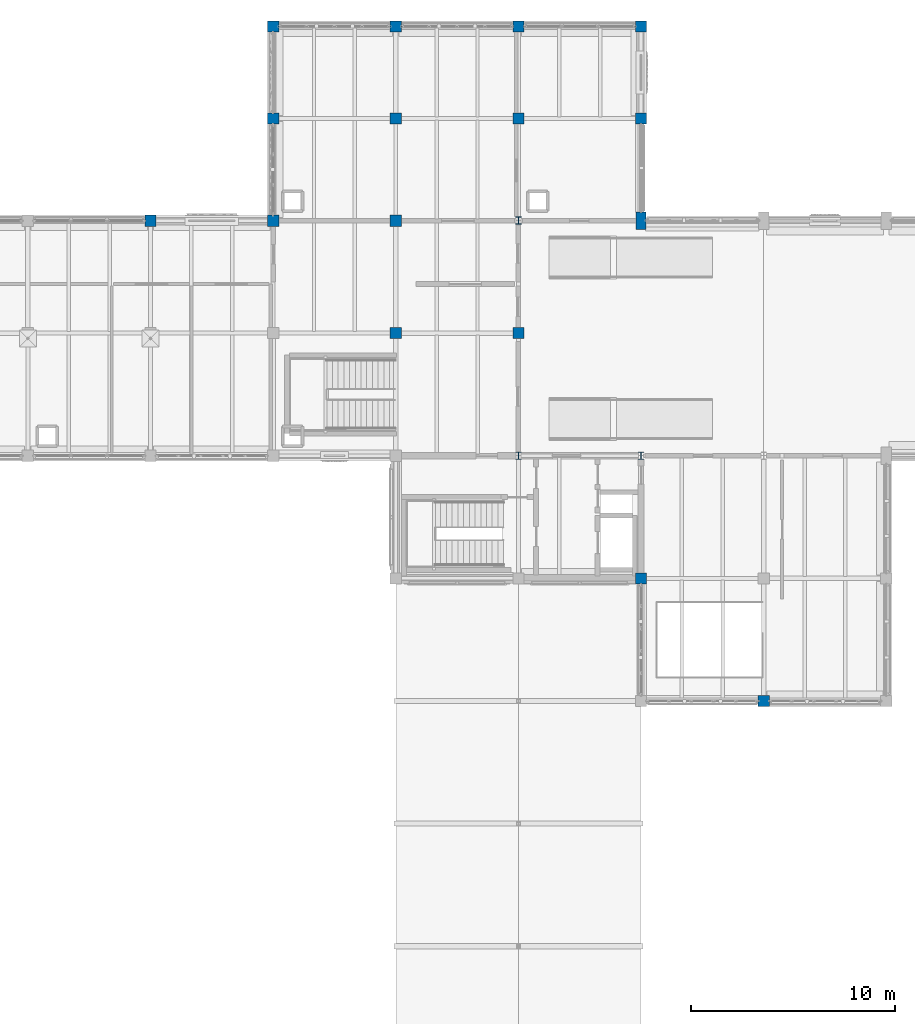
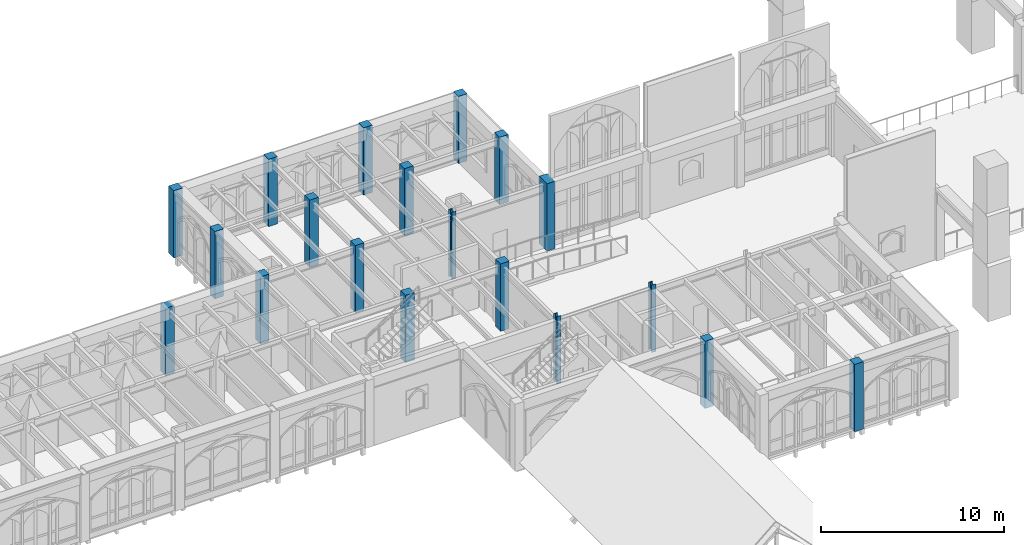
# One storey, part 2 of 108: 19 columns.
"""IFC4 building model written with IfcOpenShell, lengths in metres."""

from ifc_helpers import new_model, si_unit, direction, frame, origin, origin_2d, place, context, subcontext, project, spatial, rectangle, i_section, extrude, material, material_profile, profile_set, type_object, element, save


model = new_model("IFC4")

# Units and contexts
model_context = context("Model", 3, precision=1e-05, world=origin(), true_north=direction((0.0, 1.0)))
body_context = subcontext(model_context, "Body", "Model", "MODEL_VIEW")
ifc_project = project(units=[si_unit("LENGTHUNIT", "METRE"), si_unit("AREAUNIT", "SQUARE_METRE"), si_unit("VOLUMEUNIT", "CUBIC_METRE"), si_unit("PLANEANGLEUNIT", "RADIAN"), si_unit("MASSUNIT", "GRAM", prefix="KILO")], contexts=[model_context])

# Site, building, storey
site_placement = place(None, origin())
site = spatial("IfcSite", under=ifc_project, at=site_placement, CompositionType="ELEMENT")
building_placement = place(site_placement, origin())
building = spatial("IfcBuilding", under=site, at=building_placement, Name="Cumevento Cable Car Station", CompositionType="ELEMENT")
storey_placement = place(building_placement, frame((0.0, 0.0, 13.5)))
storey = spatial("IfcBuildingStorey", under=building, at=storey_placement, Name="L04", CompositionType="ELEMENT", Elevation=13.5)

# Columns
ifc_material_1 = material(Name="Concrete C40/50", Category="concrete")
ifc_material_profile_1 = material_profile(ifc_material_1, rectangle(XDim=0.5, YDim=0.85009765625, at=origin_2d()), Name="RC500x850")
ifc_profile_set_1 = profile_set([ifc_material_profile_1], Name="Concrete C40/50")
column_type_1 = type_object("IfcColumnType", Name="Buttress Pilaster P-BT850 RC500x850", PredefinedType="PILASTER", material=ifc_profile_set_1)
column_placement = place(storey_placement, frame((70.0, 56.5, 0.0), z_axis=(0.0, 0.0, 1.0), x_axis=(1.0, 0.0, 0.0)))
element("IfcColumn", 1, at=column_placement, inside=storey, type_object=column_type_1, Name="Column P-BT850 L04 (70.0,56.5)", PredefinedType="PILASTER", context=body_context, shape_type="SweptSolid", body=[
    extrude(rectangle(XDim=0.5, YDim=0.85009765625, at=origin_2d()), origin(), (0.0, 0.0, 1.0), 4.5),
])
ifc_material_2 = material(Name="Concrete C40/50", Category="concrete")
ifc_material_profile_2 = material_profile(ifc_material_2, rectangle(XDim=0.550048828125, YDim=0.550048828125, at=origin_2d()), Name="RC550x550")
ifc_profile_set_2 = profile_set([ifc_material_profile_2], Name="Concrete C40/50")
column_type_2 = type_object("IfcColumnType", Name="Column C-RC550 RC550x550", PredefinedType="COLUMN", material=ifc_profile_set_2)
for number, where, z_axis, x_axis, name in (
    (2, (46.0, 56.5, 0.0), (0.0, 0.0, 1.0), (1.0, 0.0, 0.0), "Column C-RC550 L04 (46.0,56.5)"),
    (3, (52.0, 56.5, 0.0), (0.0, 0.0, 1.0), (1.0, 0.0, 0.0), "Column C-RC550 L04 (52.0,56.5)"),
    (4, (52.0, 61.5, 0.0), (0.0, 0.0, 1.0), (1.0, 0.0, 0.0), "Column C-RC550 L04 (52.0,61.5)"),
    (5, (52.0, 66.0, 0.0), (0.0, 0.0, 1.0), (1.0, 0.0, 0.0), "Column C-RC550 L04 (52.0,66.0)"),
    (6, (58.0, 51.0, 0.0), (0.0, 0.0, 1.0), (1.0, 0.0, 0.0), "Column C-RC550 L04 (58.0,51.0)"),
    (7, (58.0, 56.5, 0.0), (0.0, 0.0, 1.0), (1.0, 0.0, 0.0), "Column C-RC550 L04 (58.0,56.5)"),
    (8, (58.0, 61.5, 0.0), (0.0, 0.0, 1.0), (1.0, 0.0, 0.0), "Column C-RC550 L04 (58.0,61.5)"),
    (9, (58.0, 66.0, 0.0), (0.0, 0.0, 1.0), (1.0, 0.0, 0.0), "Column C-RC550 L04 (58.0,66.0)"),
    (10, (64.0, 51.0, 0.0), (0.0, 0.0, 1.0), (1.0, 0.0, 0.0), "Column C-RC550 L04 (64.0,51.0)"),
    (11, (64.0, 61.5, 0.0), (0.0, 0.0, 1.0), (1.0, 0.0, 0.0), "Column C-RC550 L04 (64.0,61.5)"),
    (12, (64.0, 66.0, 0.0), (0.0, 0.0, 1.0), (1.0, 0.0, 0.0), "Column C-RC550 L04 (64.0,66.0)"),
    (13, (70.0, 39.0, 0.0), (0.0, 0.0, 1.0), (1.0, 0.0, 0.0), "Column C-RC550 L04 (70.0,39.0)"),
    (14, (70.0, 61.5, 0.0), (0.0, 0.0, 1.0), (1.0, 0.0, 0.0), "Column C-RC550 L04 (70.0,61.5)"),
    (15, (70.0, 66.0, 0.0), (0.0, 0.0, 1.0), (1.0, 0.0, 0.0), "Column C-RC550 L04 (70.0,66.0)"),
    (16, (76.0, 33.0, 0.0), (0.0, 0.0, 1.0), (1.0, 0.0, 0.0), "Column C-RC550 L04 (76.0,33.0)"),
):
    element("IfcColumn", number, at=place(storey_placement, frame(where, z_axis=z_axis, x_axis=x_axis)), inside=storey, type_object=column_type_2, Name=name, PredefinedType="COLUMN", context=body_context, shape_type="SweptSolid", body=[
        extrude(rectangle(XDim=0.550048828125, YDim=0.550048828125, at=origin_2d()), origin(), (0.0, 0.0, 1.0), 4.5),
    ])
ifc_material_3 = material(Name="Steel ASTM A572 Grade 50", Category="steel")
ifc_material_profile_3 = material_profile(ifc_material_3, i_section(OverallWidth=0.257080078125, OverallDepth=0.363037109375, WebThickness=0.012939453125, FlangeThickness=0.021728515625, at=origin_2d()), Name="W360x122.0")
ifc_profile_set_3 = profile_set([ifc_material_profile_3], Name="Steel ASTM A572 Grade 50")
column_type_3 = type_object("IfcColumnType", Name="Column C-ST360 W360x122.0", PredefinedType="COLUMN", material=ifc_profile_set_3)
for number, where, z_axis, x_axis, name in (
    (17, (64.0, 45.0, 0.0), (0.0, 0.0, 1.0), (1.0, 0.0, 0.0), "Column C-ST360 L04 (64.0,45.0)"),
    (18, (64.0, 56.5, 0.0), (0.0, 0.0, 1.0), (1.0, 0.0, 0.0), "Column C-ST360 L04 (64.0,56.5)"),
    (19, (70.0, 45.0, 0.0), (0.0, 0.0, 1.0), (1.0, 0.0, 0.0), "Column C-ST360 L04 (70.0,45.0)"),
):
    element("IfcColumn", number, at=place(storey_placement, frame(where, z_axis=z_axis, x_axis=x_axis)), inside=storey, type_object=column_type_3, Name=name, PredefinedType="COLUMN", context=body_context, shape_type="SweptSolid", body=[
        extrude(i_section(OverallWidth=0.257080078125, OverallDepth=0.363037109375, WebThickness=0.012939453125, FlangeThickness=0.021728515625, at=origin_2d()), origin(), (0.0, 0.0, 1.0), 4.5),
    ])

save(model, "model.ifc")
